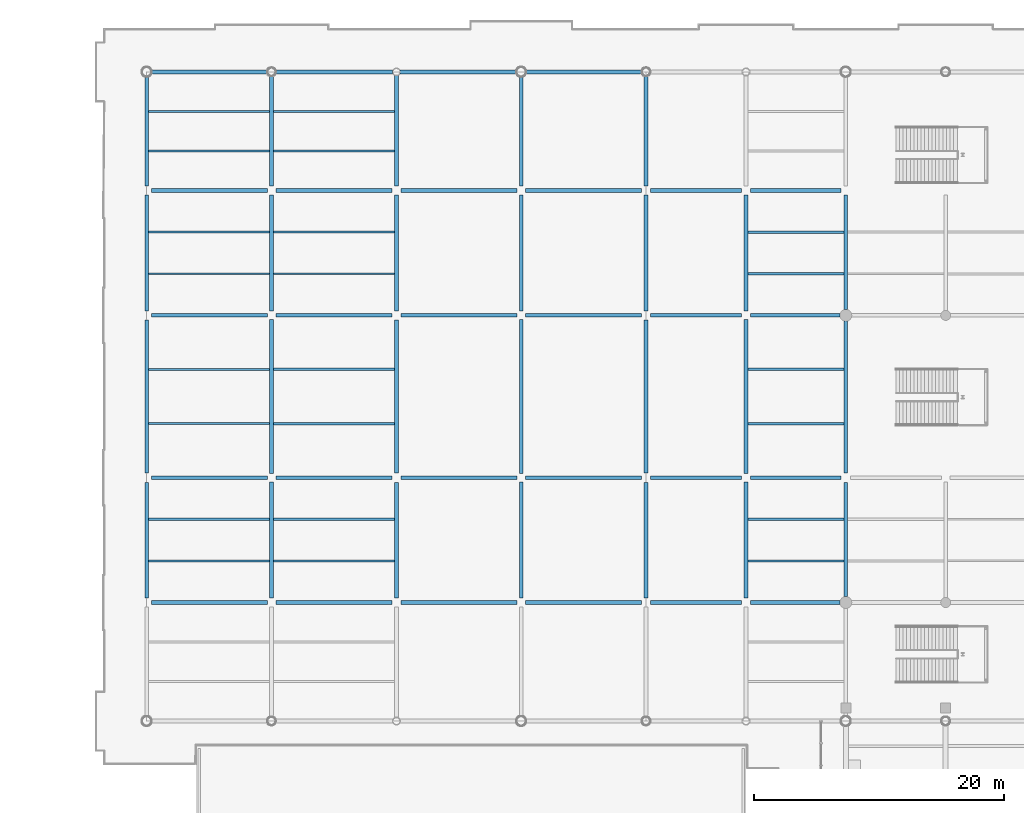
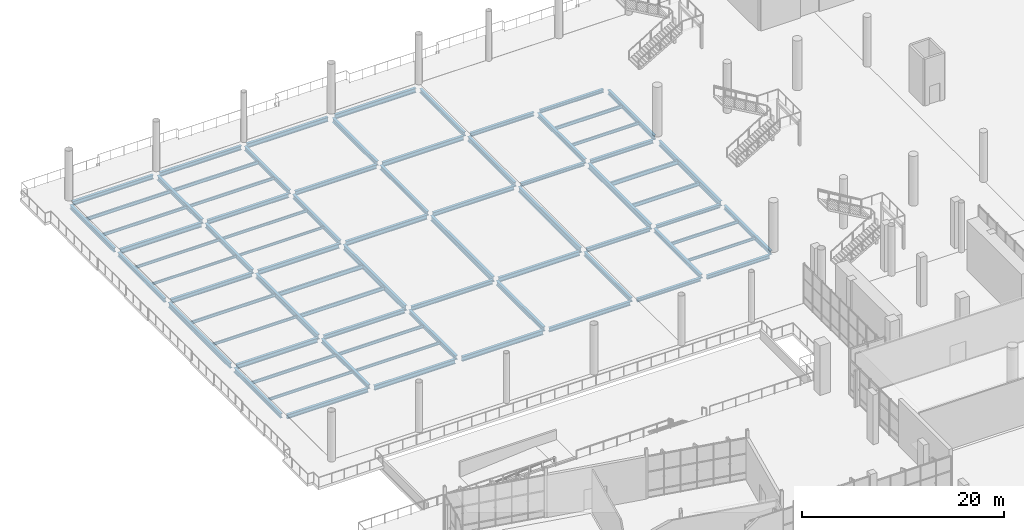
# One storey, part 106 of 163: 76 beams.
"""IFC4 building model written with IfcOpenShell, lengths in metres."""

from ifc_helpers import new_model, si_unit, direction, frame, origin, origin_2d, place, context, subcontext, project, spatial, i_section, extrude, material, material_profile, profile_set, type_object, element, save


model = new_model("IFC4")

# Units and contexts
model_context = context("Model", 3, precision=1e-05, world=origin(), true_north=direction((0.0, 1.0)))
body_context = subcontext(model_context, "Body", "Model", "MODEL_VIEW")
ifc_project = project(units=[si_unit("LENGTHUNIT", "METRE"), si_unit("AREAUNIT", "SQUARE_METRE"), si_unit("VOLUMEUNIT", "CUBIC_METRE"), si_unit("PLANEANGLEUNIT", "RADIAN"), si_unit("MASSUNIT", "GRAM", prefix="KILO")], contexts=[model_context])

# Site, building, storey
site_placement = place(None, origin())
site = spatial("IfcSite", under=ifc_project, at=site_placement, CompositionType="ELEMENT")
building_placement = place(site_placement, origin())
building = spatial("IfcBuilding", under=site, at=building_placement, Name="Khorjan Park Terminus", CompositionType="ELEMENT")
storey_placement = place(building_placement, origin())
storey = spatial("IfcBuildingStorey", under=building, at=storey_placement, Name="L00", CompositionType="ELEMENT", Elevation=0.0)

# Beams
ifc_material = material(Name="Steel S355", Category="steel")
ifc_material_profile_1 = material_profile(ifc_material, i_section(OverallWidth=0.3, OverallDepth=0.39, WebThickness=0.011, FlangeThickness=0.019, FilletRadius=0.027, at=origin_2d()), Name="HEA 400")
ifc_profile_set_1 = profile_set([ifc_material_profile_1], Name="Steel S355")
beam_type_1 = type_object("IfcBeamType", Name="BM-HEA400", PredefinedType="BEAM", material=ifc_profile_set_1)
for number, where, z_axis, x_axis, name in (
    (1, (48.345, 121.5, -0.595), (1.0, 0.0, 0.0), (0.0, 1.0, 0.0), "Primary floor girder SB-A40 (L00)"),
    (2, (48.345, 144.5, -0.595), (1.0, 0.0, 0.0), (0.0, 1.0, 0.0), "Primary floor girder SB-A40 (L00)"),
):
    element("IfcBeam", number, at=place(storey_placement, frame(where, z_axis=z_axis, x_axis=x_axis)), inside=storey, type_object=beam_type_1, Name=name, PredefinedType="BEAM", context=body_context, shape_type="SweptSolid", body=[
        extrude(i_section(OverallWidth=0.3, OverallDepth=0.39, WebThickness=0.011, FlangeThickness=0.019, FilletRadius=0.027, at=origin_2d()), origin(), (0.0, 0.0, 1.0), 7.285),
    ])
ifc_material_profile_2 = material_profile(ifc_material, i_section(OverallWidth=0.3, OverallDepth=0.44, WebThickness=0.0115, FlangeThickness=0.021, FilletRadius=0.027, at=origin_2d()), Name="HEA 450")
ifc_profile_set_2 = profile_set([ifc_material_profile_2], Name="Steel S355")
beam_type_2 = type_object("IfcBeamType", Name="BM-HEA450", PredefinedType="BEAM", material=ifc_profile_set_2)
for number, where, z_axis, x_axis, name in (
    (3, (48.345, 111.5, -0.62), (1.0, 0.0, 0.0), (0.0, 1.0, 0.0), "Primary floor girder SB-A45 (L00)"),
    (4, (48.345, 134.5, -0.62), (1.0, 0.0, 0.0), (0.0, 1.0, 0.0), "Primary floor girder SB-A45 (L00)"),
):
    element("IfcBeam", number, at=place(storey_placement, frame(where, z_axis=z_axis, x_axis=x_axis)), inside=storey, type_object=beam_type_2, Name=name, PredefinedType="BEAM", context=body_context, shape_type="SweptSolid", body=[
        extrude(i_section(OverallWidth=0.3, OverallDepth=0.44, WebThickness=0.0115, FlangeThickness=0.021, FilletRadius=0.027, at=origin_2d()), origin(), (0.0, 0.0, 1.0), 7.185),
    ])
ifc_material_profile_3 = material_profile(ifc_material, i_section(OverallWidth=0.3, OverallDepth=0.49, WebThickness=0.012, FlangeThickness=0.023, FilletRadius=0.027, at=origin_2d()), Name="HEA 500")
ifc_profile_set_3 = profile_set([ifc_material_profile_3], Name="Steel S355")
beam_type_3 = type_object("IfcBeamType", Name="BM-HEA500", PredefinedType="BEAM", material=ifc_profile_set_3)
for number, where, z_axis, x_axis, name in (
    (5, (30.345, 111.5, -0.665), (1.0, 0.0, 0.0), (0.0, 1.0, 0.0), "Primary floor girder SB-A50 (L00)"),
    (6, (10.345, 121.5, -0.665), (1.0, 0.0, 0.0), (0.0, 1.0, 0.0), "Primary floor girder SB-A50 (L00)"),
    (7, (30.345, 134.5, -0.665), (1.0, 0.0, 0.0), (0.0, 1.0, 0.0), "Primary floor girder SB-A50 (L00)"),
    (8, (10.345, 144.5, -0.665), (1.0, 0.0, 0.0), (0.0, 1.0, 0.0), "Primary floor girder SB-A50 (L00)"),
):
    element("IfcBeam", number, at=place(storey_placement, frame(where, z_axis=z_axis, x_axis=x_axis)), inside=storey, type_object=beam_type_3, Name=name, PredefinedType="BEAM", context=body_context, shape_type="SweptSolid", body=[
        extrude(i_section(OverallWidth=0.3, OverallDepth=0.49, WebThickness=0.012, FlangeThickness=0.023, FilletRadius=0.027, at=origin_2d()), origin(), (0.0, 0.0, 1.0), 9.285),
    ])
beam_1_placement = place(storey_placement, frame((0.4015, 154.0, -0.665), z_axis=(1.0, 0.0, 0.0), x_axis=(0.0, 1.0, 0.0)))
element("IfcBeam", 9, at=beam_1_placement, inside=storey, type_object=beam_type_3, Name="Primary floor girder SB-A50 (L00)", PredefinedType="BEAM", context=body_context, shape_type="SweptSolid", body=[
    extrude(i_section(OverallWidth=0.3, OverallDepth=0.49, WebThickness=0.012, FlangeThickness=0.023, FilletRadius=0.027, at=origin_2d()), origin(), (0.0, 0.0, 1.0), 9.248),
])
beam_2_placement = place(storey_placement, frame((0.0, 134.87, -0.665), z_axis=(0.0, 1.0, 0.0), x_axis=(-1.0, 0.0, 0.0)))
element("IfcBeam", 10, at=beam_2_placement, inside=storey, type_object=beam_type_3, Name="Primary floor girder SB-A50 (L00)", PredefinedType="BEAM", context=body_context, shape_type="SweptSolid", body=[
    extrude(i_section(OverallWidth=0.3, OverallDepth=0.49, WebThickness=0.012, FlangeThickness=0.023, FilletRadius=0.027, at=origin_2d()), origin(), (0.0, 0.0, 1.0), 9.26),
])
beam_3_placement = place(storey_placement, frame((10.0, 111.845, -0.665), z_axis=(0.0, 1.0, 0.0), x_axis=(-1.0, 0.0, 0.0)))
element("IfcBeam", 11, at=beam_3_placement, inside=storey, type_object=beam_type_3, Name="Primary floor girder SB-A50 (L00)", PredefinedType="BEAM", context=body_context, shape_type="SweptSolid", body=[
    extrude(i_section(OverallWidth=0.3, OverallDepth=0.49, WebThickness=0.012, FlangeThickness=0.023, FilletRadius=0.027, at=origin_2d()), origin(), (0.0, 0.0, 1.0), 9.31),
])
beam_4_placement = place(storey_placement, frame((20.0, 144.87, -0.665), z_axis=(0.0, 1.0, 0.0), x_axis=(-1.0, 0.0, 0.0)))
element("IfcBeam", 12, at=beam_4_placement, inside=storey, type_object=beam_type_3, Name="Primary floor girder SB-A50 (L00)", PredefinedType="BEAM", context=body_context, shape_type="SweptSolid", body=[
    extrude(i_section(OverallWidth=0.3, OverallDepth=0.49, WebThickness=0.012, FlangeThickness=0.023, FilletRadius=0.027, at=origin_2d()), origin(), (0.0, 0.0, 1.0), 8.83),
])
beam_5_placement = place(storey_placement, frame((40.0, 144.87, -0.665), z_axis=(0.0, 1.0, 0.0), x_axis=(-1.0, 0.0, 0.0)))
element("IfcBeam", 13, at=beam_5_placement, inside=storey, type_object=beam_type_3, Name="Primary floor girder SB-A50 (L00)", PredefinedType="BEAM", context=body_context, shape_type="SweptSolid", body=[
    extrude(i_section(OverallWidth=0.3, OverallDepth=0.49, WebThickness=0.012, FlangeThickness=0.023, FilletRadius=0.027, at=origin_2d()), origin(), (0.0, 0.0, 1.0), 8.7795),
])
beam_6_placement = place(storey_placement, frame((48.0, 111.845, -0.645), z_axis=(0.0, 1.0, 0.0), x_axis=(-1.0, 0.0, 0.0)))
element("IfcBeam", 14, at=beam_6_placement, inside=storey, type_object=beam_type_3, Name="Primary floor girder SB-A50 (L00)", PredefinedType="BEAM", context=body_context, shape_type="SweptSolid", body=[
    extrude(i_section(OverallWidth=0.3, OverallDepth=0.49, WebThickness=0.012, FlangeThickness=0.023, FilletRadius=0.027, at=origin_2d()), origin(), (0.0, 0.0, 1.0), 9.31),
])
beam_7_placement = place(storey_placement, frame((56.0, 111.97, -0.645), z_axis=(0.0, 1.0, 0.0), x_axis=(-1.0, 0.0, 0.0)))
element("IfcBeam", 15, at=beam_7_placement, inside=storey, type_object=beam_type_3, Name="Primary floor girder SB-A50 (L00)", PredefinedType="BEAM", context=body_context, shape_type="SweptSolid", body=[
    extrude(i_section(OverallWidth=0.3, OverallDepth=0.49, WebThickness=0.012, FlangeThickness=0.023, FilletRadius=0.027, at=origin_2d()), origin(), (0.0, 0.0, 1.0), 9.16),
])
ifc_material_profile_4 = material_profile(ifc_material, i_section(OverallWidth=0.3, OverallDepth=0.54, WebThickness=0.0125, FlangeThickness=0.024, FilletRadius=0.027, at=origin_2d()), Name="HEA 550")
ifc_profile_set_4 = profile_set([ifc_material_profile_4], Name="Steel S355")
beam_type_4 = type_object("IfcBeamType", Name="BM-HEA550", PredefinedType="BEAM", material=ifc_profile_set_4)
for number, where, z_axis, x_axis, name in (
    (16, (10.345, 111.5, -0.69), (1.0, 0.0, 0.0), (0.0, 1.0, 0.0), "Primary floor girder SB-A55 (L00)"),
    (17, (30.345, 121.5, -0.69), (1.0, 0.0, 0.0), (0.0, 1.0, 0.0), "Primary floor girder SB-A55 (L00)"),
    (18, (10.345, 134.5, -0.69), (1.0, 0.0, 0.0), (0.0, 1.0, 0.0), "Primary floor girder SB-A55 (L00)"),
    (19, (30.345, 144.5, -0.69), (1.0, 0.0, 0.0), (0.0, 1.0, 0.0), "Primary floor girder SB-A55 (L00)"),
):
    element("IfcBeam", number, at=place(storey_placement, frame(where, z_axis=z_axis, x_axis=x_axis)), inside=storey, type_object=beam_type_4, Name=name, PredefinedType="BEAM", context=body_context, shape_type="SweptSolid", body=[
        extrude(i_section(OverallWidth=0.3, OverallDepth=0.54, WebThickness=0.0125, FlangeThickness=0.024, FilletRadius=0.027, at=origin_2d()), origin(), (0.0, 0.0, 1.0), 9.285),
    ])
beam_8_placement = place(storey_placement, frame((20.3, 154.0, -0.69), z_axis=(1.0, 0.0, 0.0), x_axis=(0.0, 1.0, 0.0)))
element("IfcBeam", 20, at=beam_8_placement, inside=storey, type_object=beam_type_4, Name="Primary floor girder SB-A55 (L00)", PredefinedType="BEAM", context=body_context, shape_type="SweptSolid", body=[
    extrude(i_section(OverallWidth=0.3, OverallDepth=0.54, WebThickness=0.0125, FlangeThickness=0.024, FilletRadius=0.027, at=origin_2d()), origin(), (0.0, 0.0, 1.0), 9.2985),
])
beam_9_placement = place(storey_placement, frame((0.0, 111.87, -0.69), z_axis=(0.0, 1.0, 0.0), x_axis=(-1.0, 0.0, 0.0)))
element("IfcBeam", 21, at=beam_9_placement, inside=storey, type_object=beam_type_4, Name="Primary floor girder SB-A55 (L00)", PredefinedType="BEAM", context=body_context, shape_type="SweptSolid", body=[
    extrude(i_section(OverallWidth=0.3, OverallDepth=0.54, WebThickness=0.0125, FlangeThickness=0.024, FilletRadius=0.027, at=origin_2d()), origin(), (0.0, 0.0, 1.0), 9.26),
])
beam_10_placement = place(storey_placement, frame((10.0, 134.845, -0.69), z_axis=(0.0, 1.0, 0.0), x_axis=(-1.0, 0.0, 0.0)))
element("IfcBeam", 22, at=beam_10_placement, inside=storey, type_object=beam_type_4, Name="Primary floor girder SB-A55 (L00)", PredefinedType="BEAM", context=body_context, shape_type="SweptSolid", body=[
    extrude(i_section(OverallWidth=0.3, OverallDepth=0.54, WebThickness=0.0125, FlangeThickness=0.024, FilletRadius=0.027, at=origin_2d()), origin(), (0.0, 0.0, 1.0), 9.31),
])
beam_11_placement = place(storey_placement, frame((30.0, 144.845, -0.69), z_axis=(0.0, 1.0, 0.0), x_axis=(-1.0, 0.0, 0.0)))
element("IfcBeam", 23, at=beam_11_placement, inside=storey, type_object=beam_type_4, Name="Primary floor girder SB-A55 (L00)", PredefinedType="BEAM", context=body_context, shape_type="SweptSolid", body=[
    extrude(i_section(OverallWidth=0.3, OverallDepth=0.54, WebThickness=0.0125, FlangeThickness=0.024, FilletRadius=0.027, at=origin_2d()), origin(), (0.0, 0.0, 1.0), 8.7535),
])
beam_12_placement = place(storey_placement, frame((48.0, 134.845, -0.67), z_axis=(0.0, 1.0, 0.0), x_axis=(-1.0, 0.0, 0.0)))
element("IfcBeam", 24, at=beam_12_placement, inside=storey, type_object=beam_type_4, Name="Primary floor girder SB-A55 (L00)", PredefinedType="BEAM", context=body_context, shape_type="SweptSolid", body=[
    extrude(i_section(OverallWidth=0.3, OverallDepth=0.54, WebThickness=0.0125, FlangeThickness=0.024, FilletRadius=0.027, at=origin_2d()), origin(), (0.0, 0.0, 1.0), 9.31),
])
beam_13_placement = place(storey_placement, frame((56.0, 134.97, -0.67), z_axis=(0.0, 1.0, 0.0), x_axis=(-1.0, 0.0, 0.0)))
element("IfcBeam", 25, at=beam_13_placement, inside=storey, type_object=beam_type_4, Name="Primary floor girder SB-A55 (L00)", PredefinedType="BEAM", context=body_context, shape_type="SweptSolid", body=[
    extrude(i_section(OverallWidth=0.3, OverallDepth=0.54, WebThickness=0.0125, FlangeThickness=0.024, FilletRadius=0.027, at=origin_2d()), origin(), (0.0, 0.0, 1.0), 9.16),
])
ifc_material_profile_5 = material_profile(ifc_material, i_section(OverallWidth=0.3, OverallDepth=0.59, WebThickness=0.013, FlangeThickness=0.025, FilletRadius=0.027, at=origin_2d()), Name="HEA 600")
ifc_profile_set_5 = profile_set([ifc_material_profile_5], Name="Steel S355")
beam_type_5 = type_object("IfcBeamType", Name="BM-HEA600", PredefinedType="BEAM", material=ifc_profile_set_5)
beam_14_placement = place(storey_placement, frame((0.0, 121.87, -0.715), z_axis=(0.0, 1.0, 0.0), x_axis=(-1.0, 0.0, 0.0)))
element("IfcBeam", 26, at=beam_14_placement, inside=storey, type_object=beam_type_5, Name="Primary floor girder SB-A60 (L00)", PredefinedType="BEAM", context=body_context, shape_type="SweptSolid", body=[
    extrude(i_section(OverallWidth=0.3, OverallDepth=0.59, WebThickness=0.013, FlangeThickness=0.025, FilletRadius=0.027, at=origin_2d()), origin(), (0.0, 0.0, 1.0), 12.26),
])
beam_15_placement = place(storey_placement, frame((10.0, 121.845, -0.715), z_axis=(0.0, 1.0, 0.0), x_axis=(-1.0, 0.0, 0.0)))
element("IfcBeam", 27, at=beam_15_placement, inside=storey, type_object=beam_type_5, Name="Primary floor girder SB-A60 (L00)", PredefinedType="BEAM", context=body_context, shape_type="SweptSolid", body=[
    extrude(i_section(OverallWidth=0.3, OverallDepth=0.59, WebThickness=0.013, FlangeThickness=0.025, FilletRadius=0.027, at=origin_2d()), origin(), (0.0, 0.0, 1.0), 12.31),
])
ifc_material_profile_6 = material_profile(ifc_material, i_section(OverallWidth=0.3, OverallDepth=0.64, WebThickness=0.0135, FlangeThickness=0.026, FilletRadius=0.027, at=origin_2d()), Name="HEA 650")
ifc_profile_set_6 = profile_set([ifc_material_profile_6], Name="Steel S355")
beam_type_6 = type_object("IfcBeamType", Name="BM-HEA650", PredefinedType="BEAM", material=ifc_profile_set_6)
beam_16_placement = place(storey_placement, frame((20.0, 121.87, -0.74), z_axis=(0.0, 1.0, 0.0), x_axis=(-1.0, 0.0, 0.0)))
element("IfcBeam", 28, at=beam_16_placement, inside=storey, type_object=beam_type_6, Name="Primary floor girder SB-A65 (L00)", PredefinedType="BEAM", context=body_context, shape_type="SweptSolid", body=[
    extrude(i_section(OverallWidth=0.3, OverallDepth=0.64, WebThickness=0.0135, FlangeThickness=0.026, FilletRadius=0.027, at=origin_2d()), origin(), (0.0, 0.0, 1.0), 12.26),
])
beam_17_placement = place(storey_placement, frame((30.0, 121.845, -0.74), z_axis=(0.0, 1.0, 0.0), x_axis=(-1.0, 0.0, 0.0)))
element("IfcBeam", 29, at=beam_17_placement, inside=storey, type_object=beam_type_6, Name="Primary floor girder SB-A65 (L00)", PredefinedType="BEAM", context=body_context, shape_type="SweptSolid", body=[
    extrude(i_section(OverallWidth=0.3, OverallDepth=0.64, WebThickness=0.0135, FlangeThickness=0.026, FilletRadius=0.027, at=origin_2d()), origin(), (0.0, 0.0, 1.0), 12.31),
])
beam_18_placement = place(storey_placement, frame((40.0, 121.87, -0.74), z_axis=(0.0, 1.0, 0.0), x_axis=(-1.0, 0.0, 0.0)))
element("IfcBeam", 30, at=beam_18_placement, inside=storey, type_object=beam_type_6, Name="Primary floor girder SB-A65 (L00)", PredefinedType="BEAM", context=body_context, shape_type="SweptSolid", body=[
    extrude(i_section(OverallWidth=0.3, OverallDepth=0.64, WebThickness=0.0135, FlangeThickness=0.026, FilletRadius=0.027, at=origin_2d()), origin(), (0.0, 0.0, 1.0), 12.26),
])
beam_19_placement = place(storey_placement, frame((48.0, 121.845, -0.72), z_axis=(0.0, 1.0, 0.0), x_axis=(-1.0, 0.0, 0.0)))
element("IfcBeam", 31, at=beam_19_placement, inside=storey, type_object=beam_type_6, Name="Primary floor girder SB-A65 (L00)", PredefinedType="BEAM", context=body_context, shape_type="SweptSolid", body=[
    extrude(i_section(OverallWidth=0.3, OverallDepth=0.64, WebThickness=0.0135, FlangeThickness=0.026, FilletRadius=0.027, at=origin_2d()), origin(), (0.0, 0.0, 1.0), 12.31),
])
beam_20_placement = place(storey_placement, frame((56.0, 121.87, -0.72), z_axis=(0.0, 1.0, 0.0), x_axis=(-1.0, 0.0, 0.0)))
element("IfcBeam", 32, at=beam_20_placement, inside=storey, type_object=beam_type_6, Name="Primary floor girder SB-A65 (L00)", PredefinedType="BEAM", context=body_context, shape_type="SweptSolid", body=[
    extrude(i_section(OverallWidth=0.3, OverallDepth=0.64, WebThickness=0.0135, FlangeThickness=0.026, FilletRadius=0.027, at=origin_2d()), origin(), (0.0, 0.0, 1.0), 12.16),
])
ifc_material_profile_7 = material_profile(ifc_material, i_section(OverallWidth=0.3, OverallDepth=0.4, WebThickness=0.0135, FlangeThickness=0.024, FilletRadius=0.027, at=origin_2d()), Name="HEB 400")
ifc_profile_set_7 = profile_set([ifc_material_profile_7], Name="Steel S355")
beam_type_7 = type_object("IfcBeamType", Name="BM-HEB400", PredefinedType="BEAM", material=ifc_profile_set_7)
for number, where, z_axis, x_axis, name in (
    (33, (40.37, 111.5, -0.6), (1.0, 0.0, 0.0), (0.0, 1.0, 0.0), "Primary floor girder SB-B40 (L00)"),
    (34, (40.37, 134.5, -0.6), (1.0, 0.0, 0.0), (0.0, 1.0, 0.0), "Primary floor girder SB-B40 (L00)"),
):
    element("IfcBeam", number, at=place(storey_placement, frame(where, z_axis=z_axis, x_axis=x_axis)), inside=storey, type_object=beam_type_7, Name=name, PredefinedType="BEAM", context=body_context, shape_type="SweptSolid", body=[
        extrude(i_section(OverallWidth=0.3, OverallDepth=0.4, WebThickness=0.0135, FlangeThickness=0.024, FilletRadius=0.027, at=origin_2d()), origin(), (0.0, 0.0, 1.0), 7.285),
    ])
ifc_material_profile_8 = material_profile(ifc_material, i_section(OverallWidth=0.3, OverallDepth=0.45, WebThickness=0.014, FlangeThickness=0.026, FilletRadius=0.027, at=origin_2d()), Name="HEB 450")
ifc_profile_set_8 = profile_set([ifc_material_profile_8], Name="Steel S355")
beam_type_8 = type_object("IfcBeamType", Name="BM-HEB450", PredefinedType="BEAM", material=ifc_profile_set_8)
for number, where, z_axis, x_axis, name in (
    (35, (40.37, 121.5, -0.625), (1.0, 0.0, 0.0), (0.0, 1.0, 0.0), "Primary floor girder SB-B45 (L00)"),
    (36, (40.37, 144.5, -0.625), (1.0, 0.0, 0.0), (0.0, 1.0, 0.0), "Primary floor girder SB-B45 (L00)"),
):
    element("IfcBeam", number, at=place(storey_placement, frame(where, z_axis=z_axis, x_axis=x_axis)), inside=storey, type_object=beam_type_8, Name=name, PredefinedType="BEAM", context=body_context, shape_type="SweptSolid", body=[
        extrude(i_section(OverallWidth=0.3, OverallDepth=0.45, WebThickness=0.014, FlangeThickness=0.026, FilletRadius=0.027, at=origin_2d()), origin(), (0.0, 0.0, 1.0), 7.285),
    ])
ifc_material_profile_9 = material_profile(ifc_material, i_section(OverallWidth=0.3, OverallDepth=0.5, WebThickness=0.0145, FlangeThickness=0.028, FilletRadius=0.027, at=origin_2d()), Name="HEB 500")
ifc_profile_set_9 = profile_set([ifc_material_profile_9], Name="Steel S355")
beam_type_9 = type_object("IfcBeamType", Name="BM-HEB500", PredefinedType="BEAM", material=ifc_profile_set_9)
for number, where, z_axis, x_axis, name in (
    (37, (0.37, 111.5, -0.67), (1.0, 0.0, 0.0), (0.0, 1.0, 0.0), "Primary floor girder SB-B50 (L00)"),
    (38, (20.37, 121.5, -0.67), (1.0, 0.0, 0.0), (0.0, 1.0, 0.0), "Primary floor girder SB-B50 (L00)"),
    (39, (0.37, 134.5, -0.67), (1.0, 0.0, 0.0), (0.0, 1.0, 0.0), "Primary floor girder SB-B50 (L00)"),
    (40, (20.37, 144.5, -0.67), (1.0, 0.0, 0.0), (0.0, 1.0, 0.0), "Primary floor girder SB-B50 (L00)"),
):
    element("IfcBeam", number, at=place(storey_placement, frame(where, z_axis=z_axis, x_axis=x_axis)), inside=storey, type_object=beam_type_9, Name=name, PredefinedType="BEAM", context=body_context, shape_type="SweptSolid", body=[
        extrude(i_section(OverallWidth=0.3, OverallDepth=0.5, WebThickness=0.0145, FlangeThickness=0.028, FilletRadius=0.027, at=origin_2d()), origin(), (0.0, 0.0, 1.0), 9.285),
    ])
beam_21_placement = place(storey_placement, frame((10.3505, 154.0, -0.67), z_axis=(1.0, 0.0, 0.0), x_axis=(0.0, 1.0, 0.0)))
element("IfcBeam", 41, at=beam_21_placement, inside=storey, type_object=beam_type_9, Name="Primary floor girder SB-B50 (L00)", PredefinedType="BEAM", context=body_context, shape_type="SweptSolid", body=[
    extrude(i_section(OverallWidth=0.3, OverallDepth=0.5, WebThickness=0.0145, FlangeThickness=0.028, FilletRadius=0.027, at=origin_2d()), origin(), (0.0, 0.0, 1.0), 9.3495),
])
beam_22_placement = place(storey_placement, frame((0.0, 144.87, -0.67), z_axis=(0.0, 1.0, 0.0), x_axis=(-1.0, 0.0, 0.0)))
element("IfcBeam", 42, at=beam_22_placement, inside=storey, type_object=beam_type_9, Name="Primary floor girder SB-B50 (L00)", PredefinedType="BEAM", context=body_context, shape_type="SweptSolid", body=[
    extrude(i_section(OverallWidth=0.3, OverallDepth=0.5, WebThickness=0.0145, FlangeThickness=0.028, FilletRadius=0.027, at=origin_2d()), origin(), (0.0, 0.0, 1.0), 8.7285),
])
beam_23_placement = place(storey_placement, frame((20.0, 111.87, -0.67), z_axis=(0.0, 1.0, 0.0), x_axis=(-1.0, 0.0, 0.0)))
element("IfcBeam", 43, at=beam_23_placement, inside=storey, type_object=beam_type_9, Name="Primary floor girder SB-B50 (L00)", PredefinedType="BEAM", context=body_context, shape_type="SweptSolid", body=[
    extrude(i_section(OverallWidth=0.3, OverallDepth=0.5, WebThickness=0.0145, FlangeThickness=0.028, FilletRadius=0.027, at=origin_2d()), origin(), (0.0, 0.0, 1.0), 9.26),
])
beam_24_placement = place(storey_placement, frame((30.0, 134.845, -0.67), z_axis=(0.0, 1.0, 0.0), x_axis=(-1.0, 0.0, 0.0)))
element("IfcBeam", 44, at=beam_24_placement, inside=storey, type_object=beam_type_9, Name="Primary floor girder SB-B50 (L00)", PredefinedType="BEAM", context=body_context, shape_type="SweptSolid", body=[
    extrude(i_section(OverallWidth=0.3, OverallDepth=0.5, WebThickness=0.0145, FlangeThickness=0.028, FilletRadius=0.027, at=origin_2d()), origin(), (0.0, 0.0, 1.0), 9.31),
])
beam_25_placement = place(storey_placement, frame((40.0, 111.87, -0.67), z_axis=(0.0, 1.0, 0.0), x_axis=(-1.0, 0.0, 0.0)))
element("IfcBeam", 45, at=beam_25_placement, inside=storey, type_object=beam_type_9, Name="Primary floor girder SB-B50 (L00)", PredefinedType="BEAM", context=body_context, shape_type="SweptSolid", body=[
    extrude(i_section(OverallWidth=0.3, OverallDepth=0.5, WebThickness=0.0145, FlangeThickness=0.028, FilletRadius=0.027, at=origin_2d()), origin(), (0.0, 0.0, 1.0), 9.26),
])
ifc_material_profile_10 = material_profile(ifc_material, i_section(OverallWidth=0.3, OverallDepth=0.55, WebThickness=0.015, FlangeThickness=0.029, FilletRadius=0.027, at=origin_2d()), Name="HEB 550")
ifc_profile_set_10 = profile_set([ifc_material_profile_10], Name="Steel S355")
beam_type_10 = type_object("IfcBeamType", Name="BM-HEB550", PredefinedType="BEAM", material=ifc_profile_set_10)
for number, where, z_axis, x_axis, name in (
    (46, (20.37, 111.5, -0.695), (1.0, 0.0, 0.0), (0.0, 1.0, 0.0), "Primary floor girder SB-B55 (L00)"),
    (47, (0.37, 121.5, -0.695), (1.0, 0.0, 0.0), (0.0, 1.0, 0.0), "Primary floor girder SB-B55 (L00)"),
    (48, (20.37, 134.5, -0.695), (1.0, 0.0, 0.0), (0.0, 1.0, 0.0), "Primary floor girder SB-B55 (L00)"),
    (49, (0.37, 144.5, -0.695), (1.0, 0.0, 0.0), (0.0, 1.0, 0.0), "Primary floor girder SB-B55 (L00)"),
):
    element("IfcBeam", number, at=place(storey_placement, frame(where, z_axis=z_axis, x_axis=x_axis)), inside=storey, type_object=beam_type_10, Name=name, PredefinedType="BEAM", context=body_context, shape_type="SweptSolid", body=[
        extrude(i_section(OverallWidth=0.3, OverallDepth=0.55, WebThickness=0.015, FlangeThickness=0.029, FilletRadius=0.027, at=origin_2d()), origin(), (0.0, 0.0, 1.0), 9.285),
    ])
beam_26_placement = place(storey_placement, frame((30.4015, 154.0, -0.695), z_axis=(1.0, 0.0, 0.0), x_axis=(0.0, 1.0, 0.0)))
element("IfcBeam", 50, at=beam_26_placement, inside=storey, type_object=beam_type_10, Name="Primary floor girder SB-B55 (L00)", PredefinedType="BEAM", context=body_context, shape_type="SweptSolid", body=[
    extrude(i_section(OverallWidth=0.3, OverallDepth=0.55, WebThickness=0.015, FlangeThickness=0.029, FilletRadius=0.027, at=origin_2d()), origin(), (0.0, 0.0, 1.0), 9.248),
])
beam_27_placement = place(storey_placement, frame((10.0, 144.845, -0.695), z_axis=(0.0, 1.0, 0.0), x_axis=(-1.0, 0.0, 0.0)))
element("IfcBeam", 51, at=beam_27_placement, inside=storey, type_object=beam_type_10, Name="Primary floor girder SB-B55 (L00)", PredefinedType="BEAM", context=body_context, shape_type="SweptSolid", body=[
    extrude(i_section(OverallWidth=0.3, OverallDepth=0.55, WebThickness=0.015, FlangeThickness=0.029, FilletRadius=0.027, at=origin_2d()), origin(), (0.0, 0.0, 1.0), 8.8045),
])
beam_28_placement = place(storey_placement, frame((20.0, 134.87, -0.695), z_axis=(0.0, 1.0, 0.0), x_axis=(-1.0, 0.0, 0.0)))
element("IfcBeam", 52, at=beam_28_placement, inside=storey, type_object=beam_type_10, Name="Primary floor girder SB-B55 (L00)", PredefinedType="BEAM", context=body_context, shape_type="SweptSolid", body=[
    extrude(i_section(OverallWidth=0.3, OverallDepth=0.55, WebThickness=0.015, FlangeThickness=0.029, FilletRadius=0.027, at=origin_2d()), origin(), (0.0, 0.0, 1.0), 9.26),
])
beam_29_placement = place(storey_placement, frame((30.0, 111.845, -0.695), z_axis=(0.0, 1.0, 0.0), x_axis=(-1.0, 0.0, 0.0)))
element("IfcBeam", 53, at=beam_29_placement, inside=storey, type_object=beam_type_10, Name="Primary floor girder SB-B55 (L00)", PredefinedType="BEAM", context=body_context, shape_type="SweptSolid", body=[
    extrude(i_section(OverallWidth=0.3, OverallDepth=0.55, WebThickness=0.015, FlangeThickness=0.029, FilletRadius=0.027, at=origin_2d()), origin(), (0.0, 0.0, 1.0), 9.31),
])
beam_30_placement = place(storey_placement, frame((40.0, 134.87, -0.695), z_axis=(0.0, 1.0, 0.0), x_axis=(-1.0, 0.0, 0.0)))
element("IfcBeam", 54, at=beam_30_placement, inside=storey, type_object=beam_type_10, Name="Primary floor girder SB-B55 (L00)", PredefinedType="BEAM", context=body_context, shape_type="SweptSolid", body=[
    extrude(i_section(OverallWidth=0.3, OverallDepth=0.55, WebThickness=0.015, FlangeThickness=0.029, FilletRadius=0.027, at=origin_2d()), origin(), (0.0, 0.0, 1.0), 9.26),
])
ifc_material_profile_11 = material_profile(ifc_material, i_section(OverallWidth=0.15, OverallDepth=0.3, WebThickness=0.0071, FlangeThickness=0.0107, FilletRadius=0.015, at=origin_2d()), Name="IPE 300")
ifc_profile_set_11 = profile_set([ifc_material_profile_11], Name="Steel S355")
beam_type_11 = type_object("IfcBeamType", Name="JS-IPE300", PredefinedType="JOIST", material=ifc_profile_set_11)
for number, where, z_axis, x_axis, name in (
    (55, (0.15, 137.8333, -0.57), (1.0, 0.0, 0.0), (0.0, 1.0, 0.0), "Secondary composite floor joist SJ-30 (L00)"),
    (56, (10.15, 137.8333, -0.57), (1.0, 0.0, 0.0), (0.0, 1.0, 0.0), "Secondary composite floor joist SJ-30 (L00)"),
):
    element("IfcBeam", number, at=place(storey_placement, frame(where, z_axis=z_axis, x_axis=x_axis)), inside=storey, type_object=beam_type_11, Name=name, PredefinedType="JOIST", context=body_context, shape_type="SweptSolid", body=[
        extrude(i_section(OverallWidth=0.15, OverallDepth=0.3, WebThickness=0.0071, FlangeThickness=0.0107, FilletRadius=0.015, at=origin_2d()), origin(), (0.0, 0.0, 1.0), 9.7),
    ])
ifc_material_profile_12 = material_profile(ifc_material, i_section(OverallWidth=0.16, OverallDepth=0.33, WebThickness=0.0075, FlangeThickness=0.0115, FilletRadius=0.018, at=origin_2d()), Name="IPE 330")
ifc_profile_set_12 = profile_set([ifc_material_profile_12], Name="Steel S355")
beam_type_12 = type_object("IfcBeamType", Name="JS-IPE330", PredefinedType="JOIST", material=ifc_profile_set_12)
for number, where, z_axis, x_axis, name in (
    (57, (0.15, 114.8333, -0.585), (1.0, 0.0, 0.0), (0.0, 1.0, 0.0), "Secondary composite floor joist SJ-33 (L00)"),
    (58, (0.15, 125.8333, -0.585), (1.0, 0.0, 0.0), (0.0, 1.0, 0.0), "Secondary composite floor joist SJ-33 (L00)"),
    (59, (0.15, 141.1667, -0.585), (1.0, 0.0, 0.0), (0.0, 1.0, 0.0), "Secondary composite floor joist SJ-33 (L00)"),
    (60, (10.15, 114.8333, -0.585), (1.0, 0.0, 0.0), (0.0, 1.0, 0.0), "Secondary composite floor joist SJ-33 (L00)"),
    (61, (10.15, 141.1667, -0.585), (1.0, 0.0, 0.0), (0.0, 1.0, 0.0), "Secondary composite floor joist SJ-33 (L00)"),
):
    element("IfcBeam", number, at=place(storey_placement, frame(where, z_axis=z_axis, x_axis=x_axis)), inside=storey, type_object=beam_type_12, Name=name, PredefinedType="JOIST", context=body_context, shape_type="SweptSolid", body=[
        extrude(i_section(OverallWidth=0.16, OverallDepth=0.33, WebThickness=0.0075, FlangeThickness=0.0115, FilletRadius=0.018, at=origin_2d()), origin(), (0.0, 0.0, 1.0), 9.7),
    ])
beam_31_placement = place(storey_placement, frame((48.15, 114.8333, -0.565), z_axis=(1.0, 0.0, 0.0), x_axis=(0.0, 1.0, 0.0)))
element("IfcBeam", 62, at=beam_31_placement, inside=storey, type_object=beam_type_12, Name="Secondary composite floor joist SJ-33 (L00)", PredefinedType="JOIST", context=body_context, shape_type="SweptSolid", body=[
    extrude(i_section(OverallWidth=0.16, OverallDepth=0.33, WebThickness=0.0075, FlangeThickness=0.0115, FilletRadius=0.018, at=origin_2d()), origin(), (0.0, 0.0, 1.0), 7.7),
])
ifc_material_profile_13 = material_profile(ifc_material, i_section(OverallWidth=0.17, OverallDepth=0.36, WebThickness=0.008, FlangeThickness=0.0127, FilletRadius=0.018, at=origin_2d()), Name="IPE 360")
ifc_profile_set_13 = profile_set([ifc_material_profile_13], Name="Steel S355")
beam_type_13 = type_object("IfcBeamType", Name="JS-IPE360", PredefinedType="JOIST", material=ifc_profile_set_13)
for number, where, z_axis, x_axis, name in (
    (63, (0.15, 118.1667, -0.6), (1.0, 0.0, 0.0), (0.0, 1.0, 0.0), "Secondary composite floor joist SJ-36 (L00)"),
    (64, (0.15, 130.1667, -0.6), (1.0, 0.0, 0.0), (0.0, 1.0, 0.0), "Secondary composite floor joist SJ-36 (L00)"),
    (65, (0.15, 147.6667, -0.6), (1.0, 0.0, 0.0), (0.0, 1.0, 0.0), "Secondary composite floor joist SJ-36 (L00)"),
    (66, (10.15, 118.1667, -0.6), (1.0, 0.0, 0.0), (0.0, 1.0, 0.0), "Secondary composite floor joist SJ-36 (L00)"),
    (67, (10.15, 147.6667, -0.6), (1.0, 0.0, 0.0), (0.0, 1.0, 0.0), "Secondary composite floor joist SJ-36 (L00)"),
):
    element("IfcBeam", number, at=place(storey_placement, frame(where, z_axis=z_axis, x_axis=x_axis)), inside=storey, type_object=beam_type_13, Name=name, PredefinedType="JOIST", context=body_context, shape_type="SweptSolid", body=[
        extrude(i_section(OverallWidth=0.17, OverallDepth=0.36, WebThickness=0.008, FlangeThickness=0.0127, FilletRadius=0.018, at=origin_2d()), origin(), (0.0, 0.0, 1.0), 9.7),
    ])
for number, where, z_axis, x_axis, name in (
    (68, (48.15, 118.1667, -0.58), (1.0, 0.0, 0.0), (0.0, 1.0, 0.0), "Secondary composite floor joist SJ-36 (L00)"),
    (69, (48.15, 137.8333, -0.58), (1.0, 0.0, 0.0), (0.0, 1.0, 0.0), "Secondary composite floor joist SJ-36 (L00)"),
):
    element("IfcBeam", number, at=place(storey_placement, frame(where, z_axis=z_axis, x_axis=x_axis)), inside=storey, type_object=beam_type_13, Name=name, PredefinedType="JOIST", context=body_context, shape_type="SweptSolid", body=[
        extrude(i_section(OverallWidth=0.17, OverallDepth=0.36, WebThickness=0.008, FlangeThickness=0.0127, FilletRadius=0.018, at=origin_2d()), origin(), (0.0, 0.0, 1.0), 7.7),
    ])
ifc_material_profile_14 = material_profile(ifc_material, i_section(OverallWidth=0.18, OverallDepth=0.4, WebThickness=0.0086, FlangeThickness=0.0135, FilletRadius=0.021, at=origin_2d()), Name="IPE 400")
ifc_profile_set_14 = profile_set([ifc_material_profile_14], Name="Steel S355")
beam_type_14 = type_object("IfcBeamType", Name="JS-IPE400", PredefinedType="JOIST", material=ifc_profile_set_14)
for number, where, z_axis, x_axis, name in (
    (70, (0.15, 150.8333, -0.62), (1.0, 0.0, 0.0), (0.0, 1.0, 0.0), "Secondary composite floor joist SJ-40 (L00)"),
    (71, (10.15, 150.8333, -0.62), (1.0, 0.0, 0.0), (0.0, 1.0, 0.0), "Secondary composite floor joist SJ-40 (L00)"),
):
    element("IfcBeam", number, at=place(storey_placement, frame(where, z_axis=z_axis, x_axis=x_axis)), inside=storey, type_object=beam_type_14, Name=name, PredefinedType="JOIST", context=body_context, shape_type="SweptSolid", body=[
        extrude(i_section(OverallWidth=0.18, OverallDepth=0.4, WebThickness=0.0086, FlangeThickness=0.0135, FilletRadius=0.021, at=origin_2d()), origin(), (0.0, 0.0, 1.0), 9.7),
    ])
beam_32_placement = place(storey_placement, frame((48.15, 141.1667, -0.6), z_axis=(1.0, 0.0, 0.0), x_axis=(0.0, 1.0, 0.0)))
element("IfcBeam", 72, at=beam_32_placement, inside=storey, type_object=beam_type_14, Name="Secondary composite floor joist SJ-40 (L00)", PredefinedType="JOIST", context=body_context, shape_type="SweptSolid", body=[
    extrude(i_section(OverallWidth=0.18, OverallDepth=0.4, WebThickness=0.0086, FlangeThickness=0.0135, FilletRadius=0.021, at=origin_2d()), origin(), (0.0, 0.0, 1.0), 7.7),
])
ifc_material_profile_15 = material_profile(ifc_material, i_section(OverallWidth=0.19, OverallDepth=0.45, WebThickness=0.0094, FlangeThickness=0.0146, FilletRadius=0.021, at=origin_2d()), Name="IPE 450")
ifc_profile_set_15 = profile_set([ifc_material_profile_15], Name="Steel S355")
beam_type_15 = type_object("IfcBeamType", Name="JS-IPE450", PredefinedType="JOIST", material=ifc_profile_set_15)
beam_33_placement = place(storey_placement, frame((10.15, 125.8333, -0.645), z_axis=(1.0, 0.0, 0.0), x_axis=(0.0, 1.0, 0.0)))
element("IfcBeam", 73, at=beam_33_placement, inside=storey, type_object=beam_type_15, Name="Secondary composite floor joist SJ-45 (L00)", PredefinedType="JOIST", context=body_context, shape_type="SweptSolid", body=[
    extrude(i_section(OverallWidth=0.19, OverallDepth=0.45, WebThickness=0.0094, FlangeThickness=0.0146, FilletRadius=0.021, at=origin_2d()), origin(), (0.0, 0.0, 1.0), 9.7),
])
beam_34_placement = place(storey_placement, frame((48.15, 125.8333, -0.625), z_axis=(1.0, 0.0, 0.0), x_axis=(0.0, 1.0, 0.0)))
element("IfcBeam", 74, at=beam_34_placement, inside=storey, type_object=beam_type_15, Name="Secondary composite floor joist SJ-45 (L00)", PredefinedType="JOIST", context=body_context, shape_type="SweptSolid", body=[
    extrude(i_section(OverallWidth=0.19, OverallDepth=0.45, WebThickness=0.0094, FlangeThickness=0.0146, FilletRadius=0.021, at=origin_2d()), origin(), (0.0, 0.0, 1.0), 7.7),
])
ifc_material_profile_16 = material_profile(ifc_material, i_section(OverallWidth=0.2, OverallDepth=0.5, WebThickness=0.0102, FlangeThickness=0.016, FilletRadius=0.021, at=origin_2d()), Name="IPE 500")
ifc_profile_set_16 = profile_set([ifc_material_profile_16], Name="Steel S355")
beam_type_16 = type_object("IfcBeamType", Name="JS-IPE500", PredefinedType="JOIST", material=ifc_profile_set_16)
beam_35_placement = place(storey_placement, frame((10.15, 130.1667, -0.67), z_axis=(1.0, 0.0, 0.0), x_axis=(0.0, 1.0, 0.0)))
element("IfcBeam", 75, at=beam_35_placement, inside=storey, type_object=beam_type_16, Name="Secondary composite floor joist SJ-50 (L00)", PredefinedType="JOIST", context=body_context, shape_type="SweptSolid", body=[
    extrude(i_section(OverallWidth=0.2, OverallDepth=0.5, WebThickness=0.0102, FlangeThickness=0.016, FilletRadius=0.021, at=origin_2d()), origin(), (0.0, 0.0, 1.0), 9.7),
])
beam_36_placement = place(storey_placement, frame((48.15, 130.1667, -0.65), z_axis=(1.0, 0.0, 0.0), x_axis=(0.0, 1.0, 0.0)))
element("IfcBeam", 76, at=beam_36_placement, inside=storey, type_object=beam_type_16, Name="Secondary composite floor joist SJ-50 (L00)", PredefinedType="JOIST", context=body_context, shape_type="SweptSolid", body=[
    extrude(i_section(OverallWidth=0.2, OverallDepth=0.5, WebThickness=0.0102, FlangeThickness=0.016, FilletRadius=0.021, at=origin_2d()), origin(), (0.0, 0.0, 1.0), 7.7),
])

save(model, "model.ifc")
